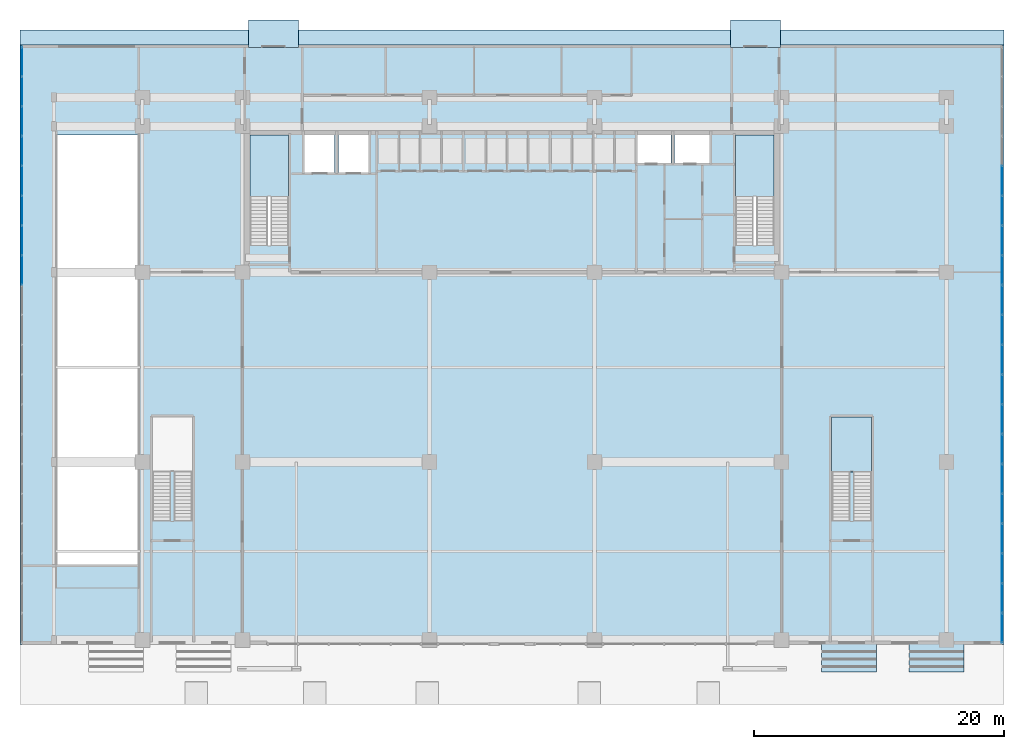
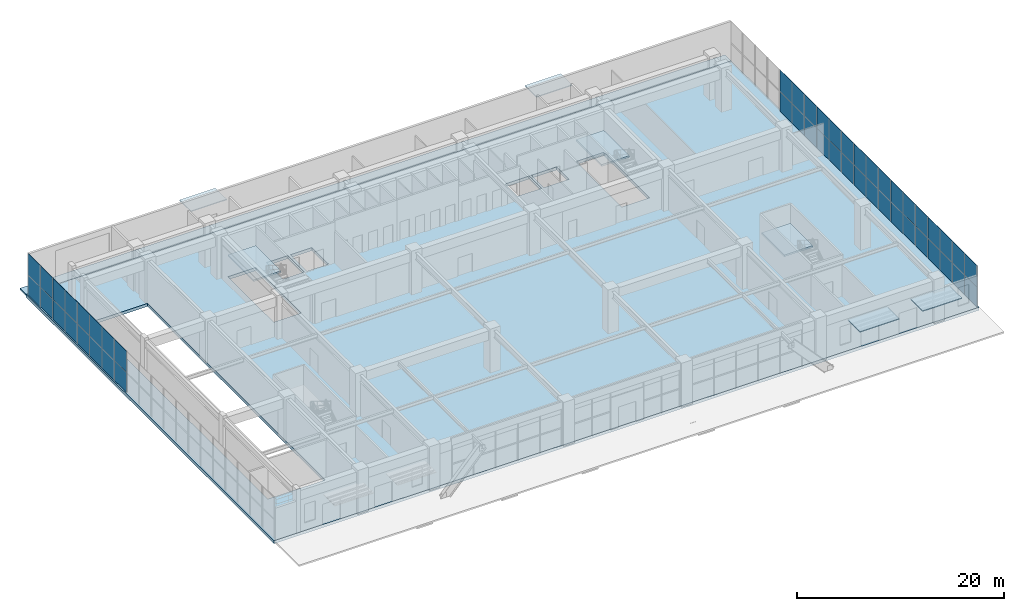
# One storey, part 30 of 40: 52 plates, 5 slabs, 5 elements without a shape of their own.
"""IFC4 building model written with IfcOpenShell, lengths in metres."""

from ifc_helpers import new_model, si_unit, direction, frame, origin, origin_2d, place, context, subcontext, project, spatial, polyline, rectangle, outline, extrude, source, transform, mapped, material, layer, layer_set, type_object, element, aggregate, save


model = new_model("IFC4")

# Units and contexts
model_context = context("Model", 3, precision=1e-05, world=origin(), true_north=direction((0.0, 1.0)))
body_context = subcontext(model_context, "Body", "Model", "MODEL_VIEW")
ifc_project = project(units=[si_unit("LENGTHUNIT", "METRE"), si_unit("AREAUNIT", "SQUARE_METRE"), si_unit("VOLUMEUNIT", "CUBIC_METRE"), si_unit("PLANEANGLEUNIT", "RADIAN"), si_unit("MASSUNIT", "GRAM", prefix="KILO")], contexts=[model_context])

# Site, building, storey
site_placement = place(None, origin())
site = spatial("IfcSite", under=ifc_project, at=site_placement, CompositionType="ELEMENT")
building_placement = place(site_placement, origin())
building = spatial("IfcBuilding", under=site, at=building_placement, Name="Trelvane Seafront Commons", CompositionType="ELEMENT")
storey_placement = place(building_placement, origin())
storey = spatial("IfcBuildingStorey", under=building, at=storey_placement, Name="L00", CompositionType="ELEMENT", Elevation=0.0)

# Stair, slab
ifc_material_1 = material(Name="Concrete C40/50", Category="concrete")
stair_type_1 = type_object("IfcStairType", Name="ARCH-STR-ST-1-R30-173", PredefinedType="HALF_TURN_STAIR", material=ifc_material_1)
stair_1_placement = place(storey_placement, origin())
stair_1 = element("IfcStair", 1, at=stair_1_placement, inside=storey, type_object=stair_type_1, Name="L00 West Protected Firefighting Exit Stair ST-1", PredefinedType="HALF_TURN_STAIR")
ifc_layer_1 = layer(ifc_material_1, 0.199951171875, Name="ARCH-LND-200")
ifc_layer_set_1 = layer_set([ifc_layer_1], Name="Concrete C40/50")
slab_type_1 = type_object("IfcSlabType", Name="ARCH-LND-200", PredefinedType="LANDING", material=ifc_layer_set_1)
slab_1_placement = place(storey_placement, frame((0.0, 0.0, 2.39990234375)))
slab_1 = element("IfcSlab", 2, at=slab_1_placement, type_object=slab_type_1, Name="ST-1 landing 1", PredefinedType="LANDING", context=body_context, shape_type="SweptSolid", body=[
    extrude(outline(polyline([(19.300048828125, 39.469970703125), (19.300048828125, 44.39990234375), (16.199951171875, 44.39990234375), (16.199951171875, 39.469970703125), (19.300048828125, 39.469970703125)])), origin(), (0.0, 0.0, 1.0), 0.2001953125),
])
aggregate(stair_1, [slab_1])

stair_type_2 = type_object("IfcStairType", Name="ARCH-STR-ST-2-R30-173", PredefinedType="HALF_TURN_STAIR", material=ifc_material_1)
stair_2_placement = place(storey_placement, origin())
stair_2 = element("IfcStair", 3, at=stair_2_placement, inside=storey, type_object=stair_type_2, Name="L00 East Protected Firefighting Exit Stair ST-2", PredefinedType="HALF_TURN_STAIR")
slab_2_placement = place(storey_placement, frame((0.0, 0.0, 2.39990234375)))
slab_2 = element("IfcSlab", 4, at=slab_2_placement, type_object=slab_type_1, Name="ST-2 landing 1", PredefinedType="LANDING", context=body_context, shape_type="SweptSolid", body=[
    extrude(outline(polyline([(58.199951171875, 39.469970703125), (58.199951171875, 44.39990234375), (55.10009765625, 44.39990234375), (55.10009765625, 39.469970703125), (58.199951171875, 39.469970703125)])), origin(), (0.0, 0.0, 1.0), 0.2001953125),
])
aggregate(stair_2, [slab_2])

stair_type_3 = type_object("IfcStairType", Name="ARCH-STR-ST-4-R30-173", PredefinedType="HALF_TURN_STAIR", material=ifc_material_1)
stair_3_placement = place(storey_placement, origin())
stair_3 = element("IfcStair", 5, at=stair_3_placement, inside=storey, type_object=stair_type_3, Name="L00 Podium Commons East Promenade Stair ST-4", PredefinedType="HALF_TURN_STAIR")
slab_3_placement = place(storey_placement, frame((0.0, 0.0, 2.39990234375)))
slab_3 = element("IfcSlab", 6, at=slab_3_placement, type_object=slab_type_1, Name="ST-4 landing 1", PredefinedType="LANDING", context=body_context, shape_type="SweptSolid", body=[
    extrude(outline(polyline([(66.0, 17.419921875), (66.0, 21.800048828125), (62.800048828125, 21.800048828125), (62.800048828125, 17.419921875), (66.0, 17.419921875)])), origin(), (0.0, 0.0, 1.0), 0.2001953125),
])
aggregate(stair_3, [slab_3])

# Slab
ifc_material_2 = material(Name="Precast concrete C40/50", Category="concrete")
ifc_layer_2 = layer(ifc_material_2, 0.179931640625, Name="ARCH-PAV-180")
ifc_layer_set_2 = layer_set([ifc_layer_2], Name="Precast concrete C40/50")
slab_type_2 = type_object("IfcSlabType", Name="ARCH-PAV-180", PredefinedType="USERDEFINED", material=ifc_layer_set_2)
slab_4_placement = place(storey_placement, frame((0.0, 0.0, -0.179931640625)))
element("IfcSlab", 7, at=slab_4_placement, inside=storey, type_object=slab_type_2, Name="North Exterior Exit Walkway and Vehicle Ramp Driveway Apron", ObjectType="PAVING", PredefinedType="USERDEFINED", context=body_context, shape_type="SweptSolid", body=[
    extrude(outline(polyline([(-2.199951171875, 51.60009765625), (76.60009765625, 51.60009765625), (76.60009765625, 52.800048828125), (-2.199951171875, 52.800048828125), (-2.199951171875, 51.60009765625)])), origin(), (0.0, 0.0, 1.0), 0.179931640625),
])

# Plates
ifc_material_3 = material(Name="Anodised pale-silver aluminium", Category="aluminium")
ifc_layer_3 = layer(ifc_material_3, 0.044921875, Name="ARCH-PLATE-CANOPY")
ifc_layer_set_3 = layer_set([ifc_layer_3], Name="Anodised pale-silver aluminium")
plate_type_1 = type_object("IfcPlateType", Name="ARCH-PLATE-CANOPY", PredefinedType="USERDEFINED", material=ifc_layer_set_3)
plate_1_placement = place(storey_placement, frame((0.0, 0.0, 3.449951171875)))
element("IfcPlate", 8, at=plate_1_placement, inside=storey, type_object=plate_type_1, Name="CAN-L00-S-03", ObjectType="CANOPY", PredefinedType="USERDEFINED", context=body_context, shape_type="SweptSolid", body=[
    extrude(outline(polyline([(62.0, 1.39990234375), (66.39990234375, 1.39990234375), (66.39990234375, 3.800048828125), (62.0, 3.800048828125), (62.0, 1.39990234375)])), origin(), (0.0, 0.0, 1.0), 0.10009765625),
])
plate_2_placement = place(storey_placement, frame((0.0, 0.0, 3.449951171875)))
element("IfcPlate", 9, at=plate_2_placement, inside=storey, type_object=plate_type_1, Name="CAN-L00-S-04", ObjectType="CANOPY", PredefinedType="USERDEFINED", context=body_context, shape_type="SweptSolid", body=[
    extrude(outline(polyline([(69.0, 1.39990234375), (73.39990234375, 1.39990234375), (73.39990234375, 3.800048828125), (69.0, 3.800048828125), (69.0, 1.39990234375)])), origin(), (0.0, 0.0, 1.0), 0.10009765625),
])
plate_3_placement = place(storey_placement, frame((0.0, 0.0, 3.449951171875)))
element("IfcPlate", 10, at=plate_3_placement, inside=storey, type_object=plate_type_1, Name="CAN-L00-N-01", ObjectType="CANOPY", PredefinedType="USERDEFINED", context=body_context, shape_type="SweptSolid", body=[
    extrude(outline(polyline([(16.10009765625, 51.39990234375), (20.10009765625, 51.39990234375), (20.10009765625, 53.60009765625), (16.10009765625, 53.60009765625), (16.10009765625, 51.39990234375)])), origin(), (0.0, 0.0, 1.0), 0.10009765625),
])
plate_4_placement = place(storey_placement, frame((0.0, 0.0, 3.449951171875)))
element("IfcPlate", 11, at=plate_4_placement, inside=storey, type_object=plate_type_1, Name="CAN-L00-N-02", ObjectType="CANOPY", PredefinedType="USERDEFINED", context=body_context, shape_type="SweptSolid", body=[
    extrude(outline(polyline([(54.699951171875, 51.39990234375), (58.699951171875, 51.39990234375), (58.699951171875, 53.60009765625), (54.699951171875, 53.60009765625), (54.699951171875, 51.39990234375)])), origin(), (0.0, 0.0, 1.0), 0.10009765625),
])

# Slab
ifc_material_4 = material(Name="Concrete C50/60", Category="concrete")
ifc_layer_4 = layer(ifc_material_4, 0.360107421875, Name="STR-SLB-G360")
ifc_layer_set_4 = layer_set([ifc_layer_4], Name="Concrete C50/60")
slab_type_3 = type_object("IfcSlabType", Name="STR-SLB-G360", PredefinedType="FLOOR", material=ifc_layer_set_4)
slab_5_placement = place(storey_placement, frame((0.0, 0.0, -0.360107421875)))
element("IfcSlab", 12, at=slab_5_placement, inside=storey, type_object=slab_type_3, Name="L00 Structural Floor Slab", PredefinedType="FLOOR", context=body_context, shape_type="SweptSolid", body=[
    extrude(outline(polyline([(-2.199951171875, 3.60009765625), (76.60009765625, 3.60009765625), (76.60009765625, 51.60009765625), (-2.199951171875, 51.60009765625), (-2.199951171875, 3.60009765625)]), holes=[polyline([(7.199951171875, 44.39990234375), (7.199951171875, 10.0), (0.800048828125, 10.0), (0.800048828125, 44.39990234375), (7.199951171875, 44.39990234375)]), polyline([(19.300048828125, 35.550048828125), (16.199951171875, 35.550048828125), (16.199951171875, 44.39990234375), (19.300048828125, 44.39990234375), (19.300048828125, 35.550048828125)]), polyline([(58.199951171875, 35.550048828125), (55.10009765625, 35.550048828125), (55.10009765625, 44.39990234375), (58.199951171875, 44.39990234375), (58.199951171875, 35.550048828125)]), polyline([(23.0, 41.39990234375), (20.60009765625, 41.39990234375), (20.60009765625, 44.60009765625), (23.0, 44.60009765625), (23.0, 41.39990234375)]), polyline([(25.699951171875, 41.39990234375), (23.300048828125, 41.39990234375), (23.300048828125, 44.60009765625), (25.699951171875, 44.60009765625), (25.699951171875, 41.39990234375)]), polyline([(49.949951171875, 42.14990234375), (47.25, 42.14990234375), (47.25, 44.550048828125), (49.949951171875, 44.550048828125), (49.949951171875, 42.14990234375)]), polyline([(53.0, 42.14990234375), (50.199951171875, 42.14990234375), (50.199951171875, 44.550048828125), (53.0, 44.550048828125), (53.0, 42.14990234375)])]), origin(), (0.0, 0.0, 1.0), 0.360107421875),
])

# Curtain wall, plates
curtain_wall_type = type_object("IfcCurtainWallType", Name="ARCH-CW4-SKYLOBBY", PredefinedType="NOTDEFINED", material=ifc_material_3)
curtain_wall_1_placement = place(storey_placement, origin())
curtain_wall_1 = element("IfcCurtainWall", 13, at=curtain_wall_1_placement, inside=storey, type_object=curtain_wall_type, Name="CW-L00-0005", PredefinedType="NOTDEFINED")
ifc_material_5 = material(Name="Low-E coastal double glazing", Category="glass")
ifc_layer_5 = layer(ifc_material_5, 0.033935546875, Name="ARCH-CW-GLAZ-34")
ifc_layer_set_5 = layer_set([ifc_layer_5], Name="Low-E coastal double glazing")
plate_type_2 = type_object("IfcPlateType", Name="ARCH-CW-GLAZ-34", PredefinedType="CURTAIN_PANEL", material=ifc_layer_set_5)
shared_shape_1 = source(origin(), body_context, "Body", "SweptSolid", [
    extrude(rectangle(XDim=2.363037109375, YDim=0.0400390625, at=origin_2d()), origin(), (0.0, 0.0, 1.0), 2.323974609375),
])
plate_5_placement = place(storey_placement, frame((76.449951171875, 40.728515625, 0.0), z_axis=(0.0, 0.0, 1.0), x_axis=(0.0, -1.0, 0.0)))
plate_5 = element("IfcPlate", 14, at=plate_5_placement, type_object=plate_type_2, Name="CW-L00-0005-P04-1", PredefinedType="CURTAIN_PANEL", context=body_context, shape_type="MappedRepresentation", body=[
    mapped(shared_shape_1, transform((0.0, 0.0, 0.0), x_axis=(1.0, 0.0, 0.0), y_axis=(0.0, 1.0, 0.0), z_axis=(0.0, 0.0, 1.0), scale=1.0)),
])
plate_6_placement = place(storey_placement, frame((76.449951171875, 38.341552734375, 0.0), z_axis=(0.0, 0.0, 1.0), x_axis=(0.0, -1.0, 0.0)))
plate_6 = element("IfcPlate", 15, at=plate_6_placement, type_object=plate_type_2, Name="CW-L00-0005-P05-1", PredefinedType="CURTAIN_PANEL", context=body_context, shape_type="MappedRepresentation", body=[
    mapped(shared_shape_1, transform((0.0, 0.0, 0.0), x_axis=(1.0, 0.0, 0.0), y_axis=(0.0, 1.0, 0.0), z_axis=(0.0, 0.0, 1.0), scale=1.0)),
])
plate_7_placement = place(storey_placement, frame((76.449951171875, 35.95458984375, 0.0), z_axis=(0.0, 0.0, 1.0), x_axis=(0.0, -1.0, 0.0)))
plate_7 = element("IfcPlate", 16, at=plate_7_placement, type_object=plate_type_2, Name="CW-L00-0005-P06-1", PredefinedType="CURTAIN_PANEL", context=body_context, shape_type="MappedRepresentation", body=[
    mapped(shared_shape_1, transform((0.0, 0.0, 0.0), x_axis=(1.0, 0.0, 0.0), y_axis=(0.0, 1.0, 0.0), z_axis=(0.0, 0.0, 1.0), scale=1.0)),
])
plate_8_placement = place(storey_placement, frame((76.449951171875, 33.5673828125, 0.0), z_axis=(0.0, 0.0, 1.0), x_axis=(0.0, -1.0, 0.0)))
plate_8 = element("IfcPlate", 17, at=plate_8_placement, type_object=plate_type_2, Name="CW-L00-0005-P07-1", PredefinedType="CURTAIN_PANEL", context=body_context, shape_type="MappedRepresentation", body=[
    mapped(shared_shape_1, transform((0.0, 0.0, 0.0), x_axis=(1.0, 0.0, 0.0), y_axis=(0.0, 1.0, 0.0), z_axis=(0.0, 0.0, 1.0), scale=1.0)),
])
plate_9_placement = place(storey_placement, frame((76.449951171875, 31.180419921875, 0.0), z_axis=(0.0, 0.0, 1.0), x_axis=(0.0, -1.0, 0.0)))
plate_9 = element("IfcPlate", 18, at=plate_9_placement, type_object=plate_type_2, Name="CW-L00-0005-P08-1", PredefinedType="CURTAIN_PANEL", context=body_context, shape_type="MappedRepresentation", body=[
    mapped(shared_shape_1, transform((0.0, 0.0, 0.0), x_axis=(1.0, 0.0, 0.0), y_axis=(0.0, 1.0, 0.0), z_axis=(0.0, 0.0, 1.0), scale=1.0)),
])
plate_10_placement = place(storey_placement, frame((76.449951171875, 28.79345703125, 0.0), z_axis=(0.0, 0.0, 1.0), x_axis=(0.0, -1.0, 0.0)))
plate_10 = element("IfcPlate", 19, at=plate_10_placement, type_object=plate_type_2, Name="CW-L00-0005-P09-1", PredefinedType="CURTAIN_PANEL", context=body_context, shape_type="MappedRepresentation", body=[
    mapped(shared_shape_1, transform((0.0, 0.0, 0.0), x_axis=(1.0, 0.0, 0.0), y_axis=(0.0, 1.0, 0.0), z_axis=(0.0, 0.0, 1.0), scale=1.0)),
])
plate_11_placement = place(storey_placement, frame((76.449951171875, 26.406494140625, 0.0), z_axis=(0.0, 0.0, 1.0), x_axis=(0.0, -1.0, 0.0)))
plate_11 = element("IfcPlate", 20, at=plate_11_placement, type_object=plate_type_2, Name="CW-L00-0005-P10-1", PredefinedType="CURTAIN_PANEL", context=body_context, shape_type="MappedRepresentation", body=[
    mapped(shared_shape_1, transform((0.0, 0.0, 0.0), x_axis=(1.0, 0.0, 0.0), y_axis=(0.0, 1.0, 0.0), z_axis=(0.0, 0.0, 1.0), scale=1.0)),
])
plate_12_placement = place(storey_placement, frame((76.449951171875, 24.01953125, 0.0), z_axis=(0.0, 0.0, 1.0), x_axis=(0.0, -1.0, 0.0)))
plate_12 = element("IfcPlate", 21, at=plate_12_placement, type_object=plate_type_2, Name="CW-L00-0005-P11-1", PredefinedType="CURTAIN_PANEL", context=body_context, shape_type="MappedRepresentation", body=[
    mapped(shared_shape_1, transform((0.0, 0.0, 0.0), x_axis=(1.0, 0.0, 0.0), y_axis=(0.0, 1.0, 0.0), z_axis=(0.0, 0.0, 1.0), scale=1.0)),
])
plate_13_placement = place(storey_placement, frame((76.449951171875, 21.632568359375, 0.0), z_axis=(0.0, 0.0, 1.0), x_axis=(0.0, -1.0, 0.0)))
plate_13 = element("IfcPlate", 22, at=plate_13_placement, type_object=plate_type_2, Name="CW-L00-0005-P12-1", PredefinedType="CURTAIN_PANEL", context=body_context, shape_type="MappedRepresentation", body=[
    mapped(shared_shape_1, transform((0.0, 0.0, 0.0), x_axis=(1.0, 0.0, 0.0), y_axis=(0.0, 1.0, 0.0), z_axis=(0.0, 0.0, 1.0), scale=1.0)),
])
plate_14_placement = place(storey_placement, frame((76.449951171875, 19.24560546875, 0.0), z_axis=(0.0, 0.0, 1.0), x_axis=(0.0, -1.0, 0.0)))
plate_14 = element("IfcPlate", 23, at=plate_14_placement, type_object=plate_type_2, Name="CW-L00-0005-P13-1", PredefinedType="CURTAIN_PANEL", context=body_context, shape_type="MappedRepresentation", body=[
    mapped(shared_shape_1, transform((0.0, 0.0, 0.0), x_axis=(1.0, 0.0, 0.0), y_axis=(0.0, 1.0, 0.0), z_axis=(0.0, 0.0, 1.0), scale=1.0)),
])
plate_15_placement = place(storey_placement, frame((76.449951171875, 16.8583984375, 0.0), z_axis=(0.0, 0.0, 1.0), x_axis=(0.0, -1.0, 0.0)))
plate_15 = element("IfcPlate", 24, at=plate_15_placement, type_object=plate_type_2, Name="CW-L00-0005-P14-1", PredefinedType="CURTAIN_PANEL", context=body_context, shape_type="MappedRepresentation", body=[
    mapped(shared_shape_1, transform((0.0, 0.0, 0.0), x_axis=(1.0, 0.0, 0.0), y_axis=(0.0, 1.0, 0.0), z_axis=(0.0, 0.0, 1.0), scale=1.0)),
])
plate_16_placement = place(storey_placement, frame((76.449951171875, 14.471435546875, 0.0), z_axis=(0.0, 0.0, 1.0), x_axis=(0.0, -1.0, 0.0)))
plate_16 = element("IfcPlate", 25, at=plate_16_placement, type_object=plate_type_2, Name="CW-L00-0005-P15-1", PredefinedType="CURTAIN_PANEL", context=body_context, shape_type="MappedRepresentation", body=[
    mapped(shared_shape_1, transform((0.0, 0.0, 0.0), x_axis=(1.0, 0.0, 0.0), y_axis=(0.0, 1.0, 0.0), z_axis=(0.0, 0.0, 1.0), scale=1.0)),
])
plate_17_placement = place(storey_placement, frame((76.449951171875, 12.08447265625, 0.0), z_axis=(0.0, 0.0, 1.0), x_axis=(0.0, -1.0, 0.0)))
plate_17 = element("IfcPlate", 26, at=plate_17_placement, type_object=plate_type_2, Name="CW-L00-0005-P16-1", PredefinedType="CURTAIN_PANEL", context=body_context, shape_type="MappedRepresentation", body=[
    mapped(shared_shape_1, transform((0.0, 0.0, 0.0), x_axis=(1.0, 0.0, 0.0), y_axis=(0.0, 1.0, 0.0), z_axis=(0.0, 0.0, 1.0), scale=1.0)),
])
plate_18_placement = place(storey_placement, frame((76.449951171875, 9.697509765625, 0.0), z_axis=(0.0, 0.0, 1.0), x_axis=(0.0, -1.0, 0.0)))
plate_18 = element("IfcPlate", 27, at=plate_18_placement, type_object=plate_type_2, Name="CW-L00-0005-P17-1", PredefinedType="CURTAIN_PANEL", context=body_context, shape_type="MappedRepresentation", body=[
    mapped(shared_shape_1, transform((0.0, 0.0, 0.0), x_axis=(1.0, 0.0, 0.0), y_axis=(0.0, 1.0, 0.0), z_axis=(0.0, 0.0, 1.0), scale=1.0)),
])
plate_19_placement = place(storey_placement, frame((76.449951171875, 7.310546875, 0.0), z_axis=(0.0, 0.0, 1.0), x_axis=(0.0, -1.0, 0.0)))
plate_19 = element("IfcPlate", 28, at=plate_19_placement, type_object=plate_type_2, Name="CW-L00-0005-P18-1", PredefinedType="CURTAIN_PANEL", context=body_context, shape_type="MappedRepresentation", body=[
    mapped(shared_shape_1, transform((0.0, 0.0, 0.0), x_axis=(1.0, 0.0, 0.0), y_axis=(0.0, 1.0, 0.0), z_axis=(0.0, 0.0, 1.0), scale=1.0)),
])
plate_20_placement = place(storey_placement, frame((76.449951171875, 4.923583984375, 0.0), z_axis=(0.0, 0.0, 1.0), x_axis=(0.0, -1.0, 0.0)))
plate_20 = element("IfcPlate", 29, at=plate_20_placement, type_object=plate_type_2, Name="CW-L00-0005-P19-1", PredefinedType="CURTAIN_PANEL", context=body_context, shape_type="MappedRepresentation", body=[
    mapped(shared_shape_1, transform((0.0, 0.0, 0.0), x_axis=(1.0, 0.0, 0.0), y_axis=(0.0, 1.0, 0.0), z_axis=(0.0, 0.0, 1.0), scale=1.0)),
])

curtain_wall_2_placement = place(storey_placement, origin())
curtain_wall_2 = element("IfcCurtainWall", 30, at=curtain_wall_2_placement, inside=storey, type_object=curtain_wall_type, Name="CW-L00-0006", PredefinedType="NOTDEFINED")
plate_21_placement = place(storey_placement, frame((-2.050048828125, 33.5673828125, 0.0), z_axis=(0.0, 0.0, 1.0), x_axis=(0.0, 1.0, 0.0)))
plate_21 = element("IfcPlate", 31, at=plate_21_placement, type_object=plate_type_2, Name="CW-L00-0006-P12-1", PredefinedType="CURTAIN_PANEL", context=body_context, shape_type="MappedRepresentation", body=[
    mapped(shared_shape_1, transform((0.0, 0.0, 0.0), x_axis=(1.0, 0.0, 0.0), y_axis=(0.0, 1.0, 0.0), z_axis=(0.0, 0.0, 1.0), scale=1.0)),
])
plate_22_placement = place(storey_placement, frame((-2.050048828125, 35.95458984375, 0.0), z_axis=(0.0, 0.0, 1.0), x_axis=(0.0, 1.0, 0.0)))
plate_22 = element("IfcPlate", 32, at=plate_22_placement, type_object=plate_type_2, Name="CW-L00-0006-P13-1", PredefinedType="CURTAIN_PANEL", context=body_context, shape_type="MappedRepresentation", body=[
    mapped(shared_shape_1, transform((0.0, 0.0, 0.0), x_axis=(1.0, 0.0, 0.0), y_axis=(0.0, 1.0, 0.0), z_axis=(0.0, 0.0, 1.0), scale=1.0)),
])
plate_23_placement = place(storey_placement, frame((-2.050048828125, 38.341552734375, 0.0), z_axis=(0.0, 0.0, 1.0), x_axis=(0.0, 1.0, 0.0)))
plate_23 = element("IfcPlate", 33, at=plate_23_placement, type_object=plate_type_2, Name="CW-L00-0006-P14-1", PredefinedType="CURTAIN_PANEL", context=body_context, shape_type="MappedRepresentation", body=[
    mapped(shared_shape_1, transform((0.0, 0.0, 0.0), x_axis=(1.0, 0.0, 0.0), y_axis=(0.0, 1.0, 0.0), z_axis=(0.0, 0.0, 1.0), scale=1.0)),
])
plate_24_placement = place(storey_placement, frame((-2.050048828125, 40.728515625, 0.0), z_axis=(0.0, 0.0, 1.0), x_axis=(0.0, 1.0, 0.0)))
plate_24 = element("IfcPlate", 34, at=plate_24_placement, type_object=plate_type_2, Name="CW-L00-0006-P15-1", PredefinedType="CURTAIN_PANEL", context=body_context, shape_type="MappedRepresentation", body=[
    mapped(shared_shape_1, transform((0.0, 0.0, 0.0), x_axis=(1.0, 0.0, 0.0), y_axis=(0.0, 1.0, 0.0), z_axis=(0.0, 0.0, 1.0), scale=1.0)),
])
plate_25_placement = place(storey_placement, frame((-2.050048828125, 43.115478515625, 0.0), z_axis=(0.0, 0.0, 1.0), x_axis=(0.0, 1.0, 0.0)))
plate_25 = element("IfcPlate", 35, at=plate_25_placement, type_object=plate_type_2, Name="CW-L00-0006-P16-1", PredefinedType="CURTAIN_PANEL", context=body_context, shape_type="MappedRepresentation", body=[
    mapped(shared_shape_1, transform((0.0, 0.0, 0.0), x_axis=(1.0, 0.0, 0.0), y_axis=(0.0, 1.0, 0.0), z_axis=(0.0, 0.0, 1.0), scale=1.0)),
])
plate_26_placement = place(storey_placement, frame((-2.050048828125, 45.50244140625, 0.0), z_axis=(0.0, 0.0, 1.0), x_axis=(0.0, 1.0, 0.0)))
plate_26 = element("IfcPlate", 36, at=plate_26_placement, type_object=plate_type_2, Name="CW-L00-0006-P17-1", PredefinedType="CURTAIN_PANEL", context=body_context, shape_type="MappedRepresentation", body=[
    mapped(shared_shape_1, transform((0.0, 0.0, 0.0), x_axis=(1.0, 0.0, 0.0), y_axis=(0.0, 1.0, 0.0), z_axis=(0.0, 0.0, 1.0), scale=1.0)),
])
plate_27_placement = place(storey_placement, frame((-2.050048828125, 47.889404296875, 0.0), z_axis=(0.0, 0.0, 1.0), x_axis=(0.0, 1.0, 0.0)))
plate_27 = element("IfcPlate", 37, at=plate_27_placement, type_object=plate_type_2, Name="CW-L00-0006-P18-1", PredefinedType="CURTAIN_PANEL", context=body_context, shape_type="MappedRepresentation", body=[
    mapped(shared_shape_1, transform((0.0, 0.0, 0.0), x_axis=(1.0, 0.0, 0.0), y_axis=(0.0, 1.0, 0.0), z_axis=(0.0, 0.0, 1.0), scale=1.0)),
])
plate_28_placement = place(storey_placement, frame((-2.050048828125, 50.276611328125, 0.0), z_axis=(0.0, 0.0, 1.0), x_axis=(0.0, 1.0, 0.0)))
plate_28 = element("IfcPlate", 38, at=plate_28_placement, type_object=plate_type_2, Name="CW-L00-0006-P19-1", PredefinedType="CURTAIN_PANEL", context=body_context, shape_type="MappedRepresentation", body=[
    mapped(shared_shape_1, transform((0.0, 0.0, 0.0), x_axis=(1.0, 0.0, 0.0), y_axis=(0.0, 1.0, 0.0), z_axis=(0.0, 0.0, 1.0), scale=1.0)),
])

# Plate
shared_shape_2 = source(origin(), body_context, "Body", "SweptSolid", [
    extrude(rectangle(XDim=2.363037109375, YDim=0.0400390625, at=origin_2d()), origin(), (0.0, 0.0, 1.0), 2.52001953125),
])
plate_29_placement = place(storey_placement, frame((76.449951171875, 40.728515625, 2.360107421875), z_axis=(0.0, 0.0, 1.0), x_axis=(0.0, -1.0, 0.0)))
plate_29 = element("IfcPlate", 39, at=plate_29_placement, type_object=plate_type_2, Name="CW-L00-0005-P04-2", PredefinedType="CURTAIN_PANEL", context=body_context, shape_type="MappedRepresentation", body=[
    mapped(shared_shape_2, transform((0.0, 0.0, 0.0), x_axis=(1.0, 0.0, 0.0), y_axis=(0.0, 1.0, 0.0), z_axis=(0.0, 0.0, 1.0), scale=1.0)),
])

plate_30_placement = place(storey_placement, frame((76.449951171875, 38.341552734375, 2.360107421875), z_axis=(0.0, 0.0, 1.0), x_axis=(0.0, -1.0, 0.0)))
plate_30 = element("IfcPlate", 40, at=plate_30_placement, type_object=plate_type_2, Name="CW-L00-0005-P05-2", PredefinedType="CURTAIN_PANEL", context=body_context, shape_type="MappedRepresentation", body=[
    mapped(shared_shape_2, transform((0.0, 0.0, 0.0), x_axis=(1.0, 0.0, 0.0), y_axis=(0.0, 1.0, 0.0), z_axis=(0.0, 0.0, 1.0), scale=1.0)),
])

plate_31_placement = place(storey_placement, frame((76.449951171875, 35.95458984375, 2.360107421875), z_axis=(0.0, 0.0, 1.0), x_axis=(0.0, -1.0, 0.0)))
plate_31 = element("IfcPlate", 41, at=plate_31_placement, type_object=plate_type_2, Name="CW-L00-0005-P06-2", PredefinedType="CURTAIN_PANEL", context=body_context, shape_type="MappedRepresentation", body=[
    mapped(shared_shape_2, transform((0.0, 0.0, 0.0), x_axis=(1.0, 0.0, 0.0), y_axis=(0.0, 1.0, 0.0), z_axis=(0.0, 0.0, 1.0), scale=1.0)),
])

plate_32_placement = place(storey_placement, frame((76.449951171875, 33.5673828125, 2.360107421875), z_axis=(0.0, 0.0, 1.0), x_axis=(0.0, -1.0, 0.0)))
plate_32 = element("IfcPlate", 42, at=plate_32_placement, type_object=plate_type_2, Name="CW-L00-0005-P07-2", PredefinedType="CURTAIN_PANEL", context=body_context, shape_type="MappedRepresentation", body=[
    mapped(shared_shape_2, transform((0.0, 0.0, 0.0), x_axis=(1.0, 0.0, 0.0), y_axis=(0.0, 1.0, 0.0), z_axis=(0.0, 0.0, 1.0), scale=1.0)),
])

plate_33_placement = place(storey_placement, frame((76.449951171875, 31.180419921875, 2.360107421875), z_axis=(0.0, 0.0, 1.0), x_axis=(0.0, -1.0, 0.0)))
plate_33 = element("IfcPlate", 43, at=plate_33_placement, type_object=plate_type_2, Name="CW-L00-0005-P08-2", PredefinedType="CURTAIN_PANEL", context=body_context, shape_type="MappedRepresentation", body=[
    mapped(shared_shape_2, transform((0.0, 0.0, 0.0), x_axis=(1.0, 0.0, 0.0), y_axis=(0.0, 1.0, 0.0), z_axis=(0.0, 0.0, 1.0), scale=1.0)),
])

plate_34_placement = place(storey_placement, frame((76.449951171875, 28.79345703125, 2.360107421875), z_axis=(0.0, 0.0, 1.0), x_axis=(0.0, -1.0, 0.0)))
plate_34 = element("IfcPlate", 44, at=plate_34_placement, type_object=plate_type_2, Name="CW-L00-0005-P09-2", PredefinedType="CURTAIN_PANEL", context=body_context, shape_type="MappedRepresentation", body=[
    mapped(shared_shape_2, transform((0.0, 0.0, 0.0), x_axis=(1.0, 0.0, 0.0), y_axis=(0.0, 1.0, 0.0), z_axis=(0.0, 0.0, 1.0), scale=1.0)),
])

plate_35_placement = place(storey_placement, frame((76.449951171875, 26.406494140625, 2.360107421875), z_axis=(0.0, 0.0, 1.0), x_axis=(0.0, -1.0, 0.0)))
plate_35 = element("IfcPlate", 45, at=plate_35_placement, type_object=plate_type_2, Name="CW-L00-0005-P10-2", PredefinedType="CURTAIN_PANEL", context=body_context, shape_type="MappedRepresentation", body=[
    mapped(shared_shape_2, transform((0.0, 0.0, 0.0), x_axis=(1.0, 0.0, 0.0), y_axis=(0.0, 1.0, 0.0), z_axis=(0.0, 0.0, 1.0), scale=1.0)),
])

plate_36_placement = place(storey_placement, frame((76.449951171875, 24.01953125, 2.360107421875), z_axis=(0.0, 0.0, 1.0), x_axis=(0.0, -1.0, 0.0)))
plate_36 = element("IfcPlate", 46, at=plate_36_placement, type_object=plate_type_2, Name="CW-L00-0005-P11-2", PredefinedType="CURTAIN_PANEL", context=body_context, shape_type="MappedRepresentation", body=[
    mapped(shared_shape_2, transform((0.0, 0.0, 0.0), x_axis=(1.0, 0.0, 0.0), y_axis=(0.0, 1.0, 0.0), z_axis=(0.0, 0.0, 1.0), scale=1.0)),
])

plate_37_placement = place(storey_placement, frame((76.449951171875, 21.632568359375, 2.360107421875), z_axis=(0.0, 0.0, 1.0), x_axis=(0.0, -1.0, 0.0)))
plate_37 = element("IfcPlate", 47, at=plate_37_placement, type_object=plate_type_2, Name="CW-L00-0005-P12-2", PredefinedType="CURTAIN_PANEL", context=body_context, shape_type="MappedRepresentation", body=[
    mapped(shared_shape_2, transform((0.0, 0.0, 0.0), x_axis=(1.0, 0.0, 0.0), y_axis=(0.0, 1.0, 0.0), z_axis=(0.0, 0.0, 1.0), scale=1.0)),
])

plate_38_placement = place(storey_placement, frame((76.449951171875, 19.24560546875, 2.360107421875), z_axis=(0.0, 0.0, 1.0), x_axis=(0.0, -1.0, 0.0)))
plate_38 = element("IfcPlate", 48, at=plate_38_placement, type_object=plate_type_2, Name="CW-L00-0005-P13-2", PredefinedType="CURTAIN_PANEL", context=body_context, shape_type="MappedRepresentation", body=[
    mapped(shared_shape_2, transform((0.0, 0.0, 0.0), x_axis=(1.0, 0.0, 0.0), y_axis=(0.0, 1.0, 0.0), z_axis=(0.0, 0.0, 1.0), scale=1.0)),
])

plate_39_placement = place(storey_placement, frame((76.449951171875, 16.8583984375, 2.360107421875), z_axis=(0.0, 0.0, 1.0), x_axis=(0.0, -1.0, 0.0)))
plate_39 = element("IfcPlate", 49, at=plate_39_placement, type_object=plate_type_2, Name="CW-L00-0005-P14-2", PredefinedType="CURTAIN_PANEL", context=body_context, shape_type="MappedRepresentation", body=[
    mapped(shared_shape_2, transform((0.0, 0.0, 0.0), x_axis=(1.0, 0.0, 0.0), y_axis=(0.0, 1.0, 0.0), z_axis=(0.0, 0.0, 1.0), scale=1.0)),
])

plate_40_placement = place(storey_placement, frame((76.449951171875, 14.471435546875, 2.360107421875), z_axis=(0.0, 0.0, 1.0), x_axis=(0.0, -1.0, 0.0)))
plate_40 = element("IfcPlate", 50, at=plate_40_placement, type_object=plate_type_2, Name="CW-L00-0005-P15-2", PredefinedType="CURTAIN_PANEL", context=body_context, shape_type="MappedRepresentation", body=[
    mapped(shared_shape_2, transform((0.0, 0.0, 0.0), x_axis=(1.0, 0.0, 0.0), y_axis=(0.0, 1.0, 0.0), z_axis=(0.0, 0.0, 1.0), scale=1.0)),
])

plate_41_placement = place(storey_placement, frame((76.449951171875, 12.08447265625, 2.360107421875), z_axis=(0.0, 0.0, 1.0), x_axis=(0.0, -1.0, 0.0)))
plate_41 = element("IfcPlate", 51, at=plate_41_placement, type_object=plate_type_2, Name="CW-L00-0005-P16-2", PredefinedType="CURTAIN_PANEL", context=body_context, shape_type="MappedRepresentation", body=[
    mapped(shared_shape_2, transform((0.0, 0.0, 0.0), x_axis=(1.0, 0.0, 0.0), y_axis=(0.0, 1.0, 0.0), z_axis=(0.0, 0.0, 1.0), scale=1.0)),
])

plate_42_placement = place(storey_placement, frame((76.449951171875, 9.697509765625, 2.360107421875), z_axis=(0.0, 0.0, 1.0), x_axis=(0.0, -1.0, 0.0)))
plate_42 = element("IfcPlate", 52, at=plate_42_placement, type_object=plate_type_2, Name="CW-L00-0005-P17-2", PredefinedType="CURTAIN_PANEL", context=body_context, shape_type="MappedRepresentation", body=[
    mapped(shared_shape_2, transform((0.0, 0.0, 0.0), x_axis=(1.0, 0.0, 0.0), y_axis=(0.0, 1.0, 0.0), z_axis=(0.0, 0.0, 1.0), scale=1.0)),
])

plate_43_placement = place(storey_placement, frame((76.449951171875, 7.310546875, 2.360107421875), z_axis=(0.0, 0.0, 1.0), x_axis=(0.0, -1.0, 0.0)))
plate_43 = element("IfcPlate", 53, at=plate_43_placement, type_object=plate_type_2, Name="CW-L00-0005-P18-2", PredefinedType="CURTAIN_PANEL", context=body_context, shape_type="MappedRepresentation", body=[
    mapped(shared_shape_2, transform((0.0, 0.0, 0.0), x_axis=(1.0, 0.0, 0.0), y_axis=(0.0, 1.0, 0.0), z_axis=(0.0, 0.0, 1.0), scale=1.0)),
])

plate_44_placement = place(storey_placement, frame((76.449951171875, 4.923583984375, 2.360107421875), z_axis=(0.0, 0.0, 1.0), x_axis=(0.0, -1.0, 0.0)))
plate_44 = element("IfcPlate", 54, at=plate_44_placement, type_object=plate_type_2, Name="CW-L00-0005-P19-2", PredefinedType="CURTAIN_PANEL", context=body_context, shape_type="MappedRepresentation", body=[
    mapped(shared_shape_2, transform((0.0, 0.0, 0.0), x_axis=(1.0, 0.0, 0.0), y_axis=(0.0, 1.0, 0.0), z_axis=(0.0, 0.0, 1.0), scale=1.0)),
])

aggregate(curtain_wall_1, [plate_5, plate_29, plate_6, plate_30, plate_7, plate_31, plate_8, plate_32, plate_9, plate_33, plate_10, plate_34, plate_11, plate_35, plate_12, plate_36, plate_13, plate_37, plate_14, plate_38, plate_15, plate_39, plate_16, plate_40, plate_17, plate_41, plate_18, plate_42, plate_19, plate_43, plate_20, plate_44])

plate_45_placement = place(storey_placement, frame((-2.050048828125, 33.5673828125, 2.360107421875), z_axis=(0.0, 0.0, 1.0), x_axis=(0.0, 1.0, 0.0)))
plate_45 = element("IfcPlate", 55, at=plate_45_placement, type_object=plate_type_2, Name="CW-L00-0006-P12-2", PredefinedType="CURTAIN_PANEL", context=body_context, shape_type="MappedRepresentation", body=[
    mapped(shared_shape_2, transform((0.0, 0.0, 0.0), x_axis=(1.0, 0.0, 0.0), y_axis=(0.0, 1.0, 0.0), z_axis=(0.0, 0.0, 1.0), scale=1.0)),
])

plate_46_placement = place(storey_placement, frame((-2.050048828125, 35.95458984375, 2.360107421875), z_axis=(0.0, 0.0, 1.0), x_axis=(0.0, 1.0, 0.0)))
plate_46 = element("IfcPlate", 56, at=plate_46_placement, type_object=plate_type_2, Name="CW-L00-0006-P13-2", PredefinedType="CURTAIN_PANEL", context=body_context, shape_type="MappedRepresentation", body=[
    mapped(shared_shape_2, transform((0.0, 0.0, 0.0), x_axis=(1.0, 0.0, 0.0), y_axis=(0.0, 1.0, 0.0), z_axis=(0.0, 0.0, 1.0), scale=1.0)),
])

plate_47_placement = place(storey_placement, frame((-2.050048828125, 38.341552734375, 2.360107421875), z_axis=(0.0, 0.0, 1.0), x_axis=(0.0, 1.0, 0.0)))
plate_47 = element("IfcPlate", 57, at=plate_47_placement, type_object=plate_type_2, Name="CW-L00-0006-P14-2", PredefinedType="CURTAIN_PANEL", context=body_context, shape_type="MappedRepresentation", body=[
    mapped(shared_shape_2, transform((0.0, 0.0, 0.0), x_axis=(1.0, 0.0, 0.0), y_axis=(0.0, 1.0, 0.0), z_axis=(0.0, 0.0, 1.0), scale=1.0)),
])

plate_48_placement = place(storey_placement, frame((-2.050048828125, 40.728515625, 2.360107421875), z_axis=(0.0, 0.0, 1.0), x_axis=(0.0, 1.0, 0.0)))
plate_48 = element("IfcPlate", 58, at=plate_48_placement, type_object=plate_type_2, Name="CW-L00-0006-P15-2", PredefinedType="CURTAIN_PANEL", context=body_context, shape_type="MappedRepresentation", body=[
    mapped(shared_shape_2, transform((0.0, 0.0, 0.0), x_axis=(1.0, 0.0, 0.0), y_axis=(0.0, 1.0, 0.0), z_axis=(0.0, 0.0, 1.0), scale=1.0)),
])

plate_49_placement = place(storey_placement, frame((-2.050048828125, 43.115478515625, 2.360107421875), z_axis=(0.0, 0.0, 1.0), x_axis=(0.0, 1.0, 0.0)))
plate_49 = element("IfcPlate", 59, at=plate_49_placement, type_object=plate_type_2, Name="CW-L00-0006-P16-2", PredefinedType="CURTAIN_PANEL", context=body_context, shape_type="MappedRepresentation", body=[
    mapped(shared_shape_2, transform((0.0, 0.0, 0.0), x_axis=(1.0, 0.0, 0.0), y_axis=(0.0, 1.0, 0.0), z_axis=(0.0, 0.0, 1.0), scale=1.0)),
])

plate_50_placement = place(storey_placement, frame((-2.050048828125, 45.50244140625, 2.360107421875), z_axis=(0.0, 0.0, 1.0), x_axis=(0.0, 1.0, 0.0)))
plate_50 = element("IfcPlate", 60, at=plate_50_placement, type_object=plate_type_2, Name="CW-L00-0006-P17-2", PredefinedType="CURTAIN_PANEL", context=body_context, shape_type="MappedRepresentation", body=[
    mapped(shared_shape_2, transform((0.0, 0.0, 0.0), x_axis=(1.0, 0.0, 0.0), y_axis=(0.0, 1.0, 0.0), z_axis=(0.0, 0.0, 1.0), scale=1.0)),
])

plate_51_placement = place(storey_placement, frame((-2.050048828125, 47.889404296875, 2.360107421875), z_axis=(0.0, 0.0, 1.0), x_axis=(0.0, 1.0, 0.0)))
plate_51 = element("IfcPlate", 61, at=plate_51_placement, type_object=plate_type_2, Name="CW-L00-0006-P18-2", PredefinedType="CURTAIN_PANEL", context=body_context, shape_type="MappedRepresentation", body=[
    mapped(shared_shape_2, transform((0.0, 0.0, 0.0), x_axis=(1.0, 0.0, 0.0), y_axis=(0.0, 1.0, 0.0), z_axis=(0.0, 0.0, 1.0), scale=1.0)),
])

plate_52_placement = place(storey_placement, frame((-2.050048828125, 50.276611328125, 2.360107421875), z_axis=(0.0, 0.0, 1.0), x_axis=(0.0, 1.0, 0.0)))
plate_52 = element("IfcPlate", 62, at=plate_52_placement, type_object=plate_type_2, Name="CW-L00-0006-P19-2", PredefinedType="CURTAIN_PANEL", context=body_context, shape_type="MappedRepresentation", body=[
    mapped(shared_shape_2, transform((0.0, 0.0, 0.0), x_axis=(1.0, 0.0, 0.0), y_axis=(0.0, 1.0, 0.0), z_axis=(0.0, 0.0, 1.0), scale=1.0)),
])

aggregate(curtain_wall_2, [plate_21, plate_45, plate_22, plate_46, plate_23, plate_47, plate_24, plate_48, plate_25, plate_49, plate_26, plate_50, plate_27, plate_51, plate_28, plate_52])

save(model, "model.ifc")
